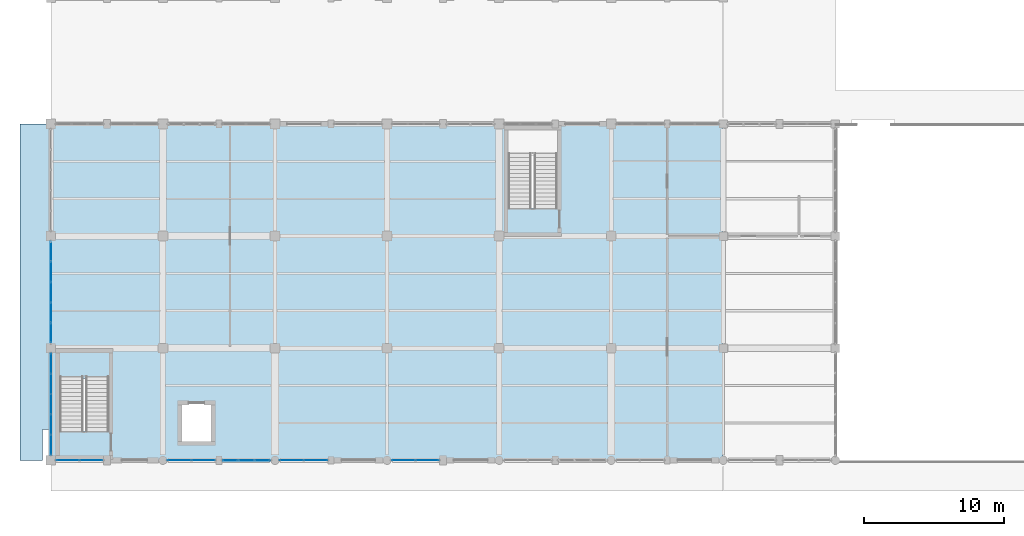
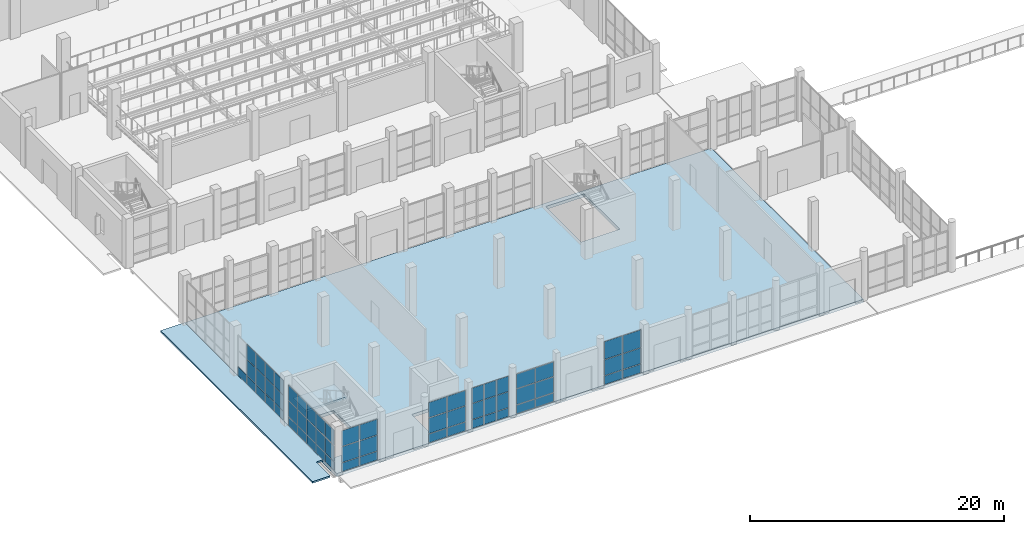
# One storey, part 102 of 156: 61 plates, 3 slabs, 8 elements without a shape of their own.
"""IFC4 building model written with IfcOpenShell, lengths in metres."""

from ifc_helpers import new_model, si_unit, direction, frame, origin, origin_2d, place, context, subcontext, project, spatial, polyline, rectangle, outline, extrude, material, layer, layer_set, type_object, element, aggregate, save


model = new_model("IFC4")

# Units and contexts
model_context = context("Model", 3, precision=1e-05, world=origin(), true_north=direction((0.0, 1.0)))
body_context = subcontext(model_context, "Body", "Model", "MODEL_VIEW")
ifc_project = project(units=[si_unit("LENGTHUNIT", "METRE"), si_unit("AREAUNIT", "SQUARE_METRE"), si_unit("VOLUMEUNIT", "CUBIC_METRE"), si_unit("PLANEANGLEUNIT", "RADIAN"), si_unit("MASSUNIT", "GRAM", prefix="KILO")], contexts=[model_context])

# Site, building, storey
site_placement = place(None, origin())
site = spatial("IfcSite", under=ifc_project, at=site_placement, CompositionType="ELEMENT")
building_placement = place(site_placement, origin())
building = spatial("IfcBuilding", under=site, at=building_placement, Name="Luwemba Playhouse", CompositionType="ELEMENT")
storey_placement = place(building_placement, origin())
storey = spatial("IfcBuildingStorey", under=building, at=storey_placement, Name="L00", CompositionType="ELEMENT", Elevation=0.0)

# Curtain wall, plates
ifc_material_1 = material(Name="Solar-control double glazing", Category="glass")
curtain_wall_type_1 = type_object("IfcCurtainWallType", Name="CW-CW11", PredefinedType="USERDEFINED", material=ifc_material_1)
curtain_wall_1_placement = place(storey_placement, origin())
curtain_wall_1 = element("IfcCurtainWall", 1, at=curtain_wall_1_placement, inside=storey, type_object=curtain_wall_type_1, Name="L00 V5W unitised curtain wall 051", ObjectType="UNITISED GLAZING", PredefinedType="USERDEFINED")
ifc_layer_1 = layer(ifc_material_1, 0.02392578125)
ifc_layer_set_1 = layer_set([ifc_layer_1], Name="Solar-control double glazing")
plate_type_1 = type_object("IfcPlateType", Name="CWP-P1", PredefinedType="CURTAIN_PANEL", material=ifc_layer_set_1)
plate_1_placement = place(storey_placement, frame((14.891357421875, 3.0, 0.06005859375), z_axis=(0.0, 0.0, 1.0), x_axis=(-1.0, 0.0, 0.0)))
plate_1 = element("IfcPlate", 2, at=plate_1_placement, type_object=plate_type_1, Name="CW11 panel 1.1", PredefinedType="CURTAIN_PANEL", context=body_context, shape_type="SweptSolid", body=[
    extrude(rectangle(XDim=1.6474609375, YDim=0.02392578125, at=origin_2d()), origin(), (0.0, 0.0, 1.0), 0.81005859375),
])
plate_2_placement = place(storey_placement, frame((14.891357421875, 3.0, 0.93017578125), z_axis=(0.0, 0.0, 1.0), x_axis=(-1.0, 0.0, 0.0)))
plate_2 = element("IfcPlate", 3, at=plate_2_placement, type_object=plate_type_1, Name="CW11 panel 1.2", PredefinedType="CURTAIN_PANEL", context=body_context, shape_type="SweptSolid", body=[
    extrude(rectangle(XDim=1.6474609375, YDim=0.02392578125, at=origin_2d()), origin(), (0.0, 0.0, 1.0), 1.489990234375),
])
plate_3_placement = place(storey_placement, frame((14.891357421875, 3.0, 2.47998046875), z_axis=(0.0, 0.0, 1.0), x_axis=(-1.0, 0.0, 0.0)))
plate_3 = element("IfcPlate", 4, at=plate_3_placement, type_object=plate_type_1, Name="CW11 panel 1.3", PredefinedType="CURTAIN_PANEL", context=body_context, shape_type="SweptSolid", body=[
    extrude(rectangle(XDim=1.6474609375, YDim=0.02392578125, at=origin_2d()), origin(), (0.0, 0.0, 1.0), 1.445068359375),
])
plate_4_placement = place(storey_placement, frame((13.183837890625, 3.0, 0.06005859375), z_axis=(0.0, 0.0, 1.0), x_axis=(-1.0, 0.0, 0.0)))
plate_4 = element("IfcPlate", 5, at=plate_4_placement, type_object=plate_type_1, Name="CW11 panel 2.1", PredefinedType="CURTAIN_PANEL", context=body_context, shape_type="SweptSolid", body=[
    extrude(rectangle(XDim=1.6474609375, YDim=0.02392578125, at=origin_2d()), origin(), (0.0, 0.0, 1.0), 0.81005859375),
])
plate_5_placement = place(storey_placement, frame((13.183837890625, 3.0, 0.93017578125), z_axis=(0.0, 0.0, 1.0), x_axis=(-1.0, 0.0, 0.0)))
plate_5 = element("IfcPlate", 6, at=plate_5_placement, type_object=plate_type_1, Name="CW11 panel 2.2", PredefinedType="CURTAIN_PANEL", context=body_context, shape_type="SweptSolid", body=[
    extrude(rectangle(XDim=1.6474609375, YDim=0.02392578125, at=origin_2d()), origin(), (0.0, 0.0, 1.0), 1.489990234375),
])
plate_6_placement = place(storey_placement, frame((13.183837890625, 3.0, 2.47998046875), z_axis=(0.0, 0.0, 1.0), x_axis=(-1.0, 0.0, 0.0)))
plate_6 = element("IfcPlate", 7, at=plate_6_placement, type_object=plate_type_1, Name="CW11 panel 2.3", PredefinedType="CURTAIN_PANEL", context=body_context, shape_type="SweptSolid", body=[
    extrude(rectangle(XDim=1.6474609375, YDim=0.02392578125, at=origin_2d()), origin(), (0.0, 0.0, 1.0), 1.445068359375),
])
aggregate(curtain_wall_1, [plate_1, plate_2, plate_3, plate_4, plate_5, plate_6])

curtain_wall_type_2 = type_object("IfcCurtainWallType", Name="CW-CW29", PredefinedType="USERDEFINED", material=ifc_material_1)
curtain_wall_2_placement = place(storey_placement, origin())
curtain_wall_2 = element("IfcCurtainWall", 8, at=curtain_wall_2_placement, inside=storey, type_object=curtain_wall_type_2, Name="L00 V5W unitised curtain wall 048", ObjectType="UNITISED GLAZING", PredefinedType="USERDEFINED")
ifc_layer_2 = layer(ifc_material_1, 0.028076171875)
ifc_layer_set_2 = layer_set([ifc_layer_2], Name="Solar-control double glazing")
plate_type_2 = type_object("IfcPlateType", Name="CWP-P2", PredefinedType="CURTAIN_PANEL", material=ifc_layer_set_2)
plate_7_placement = place(storey_placement, frame((30.871337890625, 3.0, 0.05517578125), z_axis=(0.0, 0.0, 1.0), x_axis=(-1.0, 0.0, 0.0)))
plate_7 = element("IfcPlate", 9, at=plate_7_placement, type_object=plate_type_2, Name="CW29 panel 1.1", PredefinedType="CURTAIN_PANEL", context=body_context, shape_type="SweptSolid", body=[
    extrude(rectangle(XDim=1.62744140625, YDim=0.028076171875, at=origin_2d()), origin(), (0.0, 0.0, 1.0), 0.8173828125),
])
plate_8_placement = place(storey_placement, frame((30.871337890625, 3.0, 0.927490234375), z_axis=(0.0, 0.0, 1.0), x_axis=(-1.0, 0.0, 0.0)))
plate_8 = element("IfcPlate", 10, at=plate_8_placement, type_object=plate_type_2, Name="CW29 panel 1.2", PredefinedType="CURTAIN_PANEL", context=body_context, shape_type="SweptSolid", body=[
    extrude(rectangle(XDim=1.62744140625, YDim=0.028076171875, at=origin_2d()), origin(), (0.0, 0.0, 1.0), 1.4951171875),
])
plate_9_placement = place(storey_placement, frame((30.871337890625, 3.0, 2.4775390625), z_axis=(0.0, 0.0, 1.0), x_axis=(-1.0, 0.0, 0.0)))
plate_9 = element("IfcPlate", 11, at=plate_9_placement, type_object=plate_type_2, Name="CW29 panel 1.3", PredefinedType="CURTAIN_PANEL", context=body_context, shape_type="SweptSolid", body=[
    extrude(rectangle(XDim=1.62744140625, YDim=0.028076171875, at=origin_2d()), origin(), (0.0, 0.0, 1.0), 1.702392578125),
])
plate_10_placement = place(storey_placement, frame((29.1787109375, 3.0, 0.05517578125), z_axis=(0.0, 0.0, 1.0), x_axis=(-1.0, 0.0, 0.0)))
plate_10 = element("IfcPlate", 12, at=plate_10_placement, type_object=plate_type_2, Name="CW29 panel 2.1", PredefinedType="CURTAIN_PANEL", context=body_context, shape_type="SweptSolid", body=[
    extrude(rectangle(XDim=1.62744140625, YDim=0.028076171875, at=origin_2d()), origin(), (0.0, 0.0, 1.0), 0.8173828125),
])
plate_11_placement = place(storey_placement, frame((29.1787109375, 3.0, 0.927490234375), z_axis=(0.0, 0.0, 1.0), x_axis=(-1.0, 0.0, 0.0)))
plate_11 = element("IfcPlate", 13, at=plate_11_placement, type_object=plate_type_2, Name="CW29 panel 2.2", PredefinedType="CURTAIN_PANEL", context=body_context, shape_type="SweptSolid", body=[
    extrude(rectangle(XDim=1.62744140625, YDim=0.028076171875, at=origin_2d()), origin(), (0.0, 0.0, 1.0), 1.4951171875),
])
plate_12_placement = place(storey_placement, frame((29.1787109375, 3.0, 2.4775390625), z_axis=(0.0, 0.0, 1.0), x_axis=(-1.0, 0.0, 0.0)))
plate_12 = element("IfcPlate", 14, at=plate_12_placement, type_object=plate_type_2, Name="CW29 panel 2.3", PredefinedType="CURTAIN_PANEL", context=body_context, shape_type="SweptSolid", body=[
    extrude(rectangle(XDim=1.62744140625, YDim=0.028076171875, at=origin_2d()), origin(), (0.0, 0.0, 1.0), 1.702392578125),
])
aggregate(curtain_wall_2, [plate_7, plate_8, plate_9, plate_10, plate_11, plate_12])

curtain_wall_type_3 = type_object("IfcCurtainWallType", Name="CW-CW43", PredefinedType="USERDEFINED", material=ifc_material_1)
curtain_wall_3_placement = place(storey_placement, origin())
curtain_wall_3 = element("IfcCurtainWall", 15, at=curtain_wall_3_placement, inside=storey, type_object=curtain_wall_type_3, Name="L00 V5W unitised curtain wall 052", ObjectType="UNITISED GLAZING", PredefinedType="USERDEFINED")
plate_13_placement = place(storey_placement, frame((6.8837890625, 3.0, 0.05517578125), z_axis=(0.0, 0.0, 1.0), x_axis=(-1.0, 0.0, 0.0)))
plate_13 = element("IfcPlate", 16, at=plate_13_placement, type_object=plate_type_2, Name="CW43 panel 1.1", PredefinedType="CURTAIN_PANEL", context=body_context, shape_type="SweptSolid", body=[
    extrude(rectangle(XDim=1.6025390625, YDim=0.028076171875, at=origin_2d()), origin(), (0.0, 0.0, 1.0), 0.8173828125),
])
plate_14_placement = place(storey_placement, frame((6.8837890625, 3.0, 0.927490234375), z_axis=(0.0, 0.0, 1.0), x_axis=(-1.0, 0.0, 0.0)))
plate_14 = element("IfcPlate", 17, at=plate_14_placement, type_object=plate_type_2, Name="CW43 panel 1.2", PredefinedType="CURTAIN_PANEL", context=body_context, shape_type="SweptSolid", body=[
    extrude(rectangle(XDim=1.6025390625, YDim=0.028076171875, at=origin_2d()), origin(), (0.0, 0.0, 1.0), 1.4951171875),
])
plate_15_placement = place(storey_placement, frame((6.8837890625, 3.0, 2.4775390625), z_axis=(0.0, 0.0, 1.0), x_axis=(-1.0, 0.0, 0.0)))
plate_15 = element("IfcPlate", 18, at=plate_15_placement, type_object=plate_type_2, Name="CW43 panel 1.3", PredefinedType="CURTAIN_PANEL", context=body_context, shape_type="SweptSolid", body=[
    extrude(rectangle(XDim=1.6025390625, YDim=0.028076171875, at=origin_2d()), origin(), (0.0, 0.0, 1.0), 1.50244140625),
])
plate_16_placement = place(storey_placement, frame((5.21630859375, 3.0, 0.05517578125), z_axis=(0.0, 0.0, 1.0), x_axis=(-1.0, 0.0, 0.0)))
plate_16 = element("IfcPlate", 19, at=plate_16_placement, type_object=plate_type_2, Name="CW43 panel 2.1", PredefinedType="CURTAIN_PANEL", context=body_context, shape_type="SweptSolid", body=[
    extrude(rectangle(XDim=1.6025390625, YDim=0.028076171875, at=origin_2d()), origin(), (0.0, 0.0, 1.0), 0.8173828125),
])
plate_17_placement = place(storey_placement, frame((5.21630859375, 3.0, 0.927490234375), z_axis=(0.0, 0.0, 1.0), x_axis=(-1.0, 0.0, 0.0)))
plate_17 = element("IfcPlate", 20, at=plate_17_placement, type_object=plate_type_2, Name="CW43 panel 2.2", PredefinedType="CURTAIN_PANEL", context=body_context, shape_type="SweptSolid", body=[
    extrude(rectangle(XDim=1.6025390625, YDim=0.028076171875, at=origin_2d()), origin(), (0.0, 0.0, 1.0), 1.4951171875),
])
plate_18_placement = place(storey_placement, frame((5.21630859375, 3.0, 2.4775390625), z_axis=(0.0, 0.0, 1.0), x_axis=(-1.0, 0.0, 0.0)))
plate_18 = element("IfcPlate", 21, at=plate_18_placement, type_object=plate_type_2, Name="CW43 panel 2.3", PredefinedType="CURTAIN_PANEL", context=body_context, shape_type="SweptSolid", body=[
    extrude(rectangle(XDim=1.6025390625, YDim=0.028076171875, at=origin_2d()), origin(), (0.0, 0.0, 1.0), 1.50244140625),
])
aggregate(curtain_wall_3, [plate_13, plate_14, plate_15, plate_16, plate_17, plate_18])

curtain_wall_type_4 = type_object("IfcCurtainWallType", Name="CW-CW23", PredefinedType="USERDEFINED", material=ifc_material_1)
curtain_wall_4_placement = place(storey_placement, origin())
curtain_wall_4 = element("IfcCurtainWall", 22, at=curtain_wall_4_placement, inside=storey, type_object=curtain_wall_type_4, Name="L00 V5W unitised curtain wall 025", ObjectType="UNITISED GLAZING", PredefinedType="USERDEFINED")
ifc_layer_3 = layer(ifc_material_1, 0.031982421875)
ifc_layer_set_3 = layer_set([ifc_layer_3], Name="Solar-control double glazing")
plate_type_3 = type_object("IfcPlateType", Name="CWP-P3", PredefinedType="CURTAIN_PANEL", material=ifc_layer_set_3)
plate_19_placement = place(storey_placement, frame((4.0, 4.09375, 0.06494140625), z_axis=(0.0, 0.0, 1.0), x_axis=(0.0, 1.0, 0.0)))
plate_19 = element("IfcPlate", 23, at=plate_19_placement, type_object=plate_type_3, Name="CW23 panel 1.1", PredefinedType="CURTAIN_PANEL", context=body_context, shape_type="SweptSolid", body=[
    extrude(rectangle(XDim=1.37744140625, YDim=0.031982421875, at=origin_2d()), origin(), (0.0, 0.0, 1.0), 0.802490234375),
])
plate_20_placement = place(storey_placement, frame((4.0, 4.09375, 0.9326171875), z_axis=(0.0, 0.0, 1.0), x_axis=(0.0, 1.0, 0.0)))
plate_20 = element("IfcPlate", 24, at=plate_20_placement, type_object=plate_type_3, Name="CW23 panel 1.2", PredefinedType="CURTAIN_PANEL", context=body_context, shape_type="SweptSolid", body=[
    extrude(rectangle(XDim=1.37744140625, YDim=0.031982421875, at=origin_2d()), origin(), (0.0, 0.0, 1.0), 1.485107421875),
])
plate_21_placement = place(storey_placement, frame((4.0, 4.09375, 2.482421875), z_axis=(0.0, 0.0, 1.0), x_axis=(0.0, 1.0, 0.0)))
plate_21 = element("IfcPlate", 25, at=plate_21_placement, type_object=plate_type_3, Name="CW23 panel 1.3", PredefinedType="CURTAIN_PANEL", context=body_context, shape_type="SweptSolid", body=[
    extrude(rectangle(XDim=1.37744140625, YDim=0.031982421875, at=origin_2d()), origin(), (0.0, 0.0, 1.0), 1.4375),
])
plate_22_placement = place(storey_placement, frame((4.0, 5.5400390625, 0.06494140625), z_axis=(0.0, 0.0, 1.0), x_axis=(0.0, 1.0, 0.0)))
plate_22 = element("IfcPlate", 26, at=plate_22_placement, type_object=plate_type_3, Name="CW23 panel 2.1", PredefinedType="CURTAIN_PANEL", context=body_context, shape_type="SweptSolid", body=[
    extrude(rectangle(XDim=1.405029296875, YDim=0.031982421875, at=origin_2d()), origin(), (0.0, 0.0, 1.0), 0.802490234375),
])
plate_23_placement = place(storey_placement, frame((4.0, 5.5400390625, 0.9326171875), z_axis=(0.0, 0.0, 1.0), x_axis=(0.0, 1.0, 0.0)))
plate_23 = element("IfcPlate", 27, at=plate_23_placement, type_object=plate_type_3, Name="CW23 panel 2.2", PredefinedType="CURTAIN_PANEL", context=body_context, shape_type="SweptSolid", body=[
    extrude(rectangle(XDim=1.405029296875, YDim=0.031982421875, at=origin_2d()), origin(), (0.0, 0.0, 1.0), 1.485107421875),
])
plate_24_placement = place(storey_placement, frame((4.0, 5.5400390625, 2.482421875), z_axis=(0.0, 0.0, 1.0), x_axis=(0.0, 1.0, 0.0)))
plate_24 = element("IfcPlate", 28, at=plate_24_placement, type_object=plate_type_3, Name="CW23 panel 2.3", PredefinedType="CURTAIN_PANEL", context=body_context, shape_type="SweptSolid", body=[
    extrude(rectangle(XDim=1.405029296875, YDim=0.031982421875, at=origin_2d()), origin(), (0.0, 0.0, 1.0), 1.4375),
])
plate_25_placement = place(storey_placement, frame((4.0, 7.0, 0.06494140625), z_axis=(0.0, 0.0, 1.0), x_axis=(0.0, 1.0, 0.0)))
plate_25 = element("IfcPlate", 29, at=plate_25_placement, type_object=plate_type_3, Name="CW23 panel 3.1", PredefinedType="CURTAIN_PANEL", context=body_context, shape_type="SweptSolid", body=[
    extrude(rectangle(XDim=1.405029296875, YDim=0.031982421875, at=origin_2d()), origin(), (0.0, 0.0, 1.0), 0.802490234375),
])
plate_26_placement = place(storey_placement, frame((4.0, 7.0, 0.9326171875), z_axis=(0.0, 0.0, 1.0), x_axis=(0.0, 1.0, 0.0)))
plate_26 = element("IfcPlate", 30, at=plate_26_placement, type_object=plate_type_3, Name="CW23 panel 3.2", PredefinedType="CURTAIN_PANEL", context=body_context, shape_type="SweptSolid", body=[
    extrude(rectangle(XDim=1.405029296875, YDim=0.031982421875, at=origin_2d()), origin(), (0.0, 0.0, 1.0), 1.485107421875),
])
plate_27_placement = place(storey_placement, frame((4.0, 7.0, 2.482421875), z_axis=(0.0, 0.0, 1.0), x_axis=(0.0, 1.0, 0.0)))
plate_27 = element("IfcPlate", 31, at=plate_27_placement, type_object=plate_type_3, Name="CW23 panel 3.3", PredefinedType="CURTAIN_PANEL", context=body_context, shape_type="SweptSolid", body=[
    extrude(rectangle(XDim=1.405029296875, YDim=0.031982421875, at=origin_2d()), origin(), (0.0, 0.0, 1.0), 1.4375),
])
plate_28_placement = place(storey_placement, frame((4.0, 8.4599609375, 0.06494140625), z_axis=(0.0, 0.0, 1.0), x_axis=(0.0, 1.0, 0.0)))
plate_28 = element("IfcPlate", 32, at=plate_28_placement, type_object=plate_type_3, Name="CW23 panel 4.1", PredefinedType="CURTAIN_PANEL", context=body_context, shape_type="SweptSolid", body=[
    extrude(rectangle(XDim=1.405029296875, YDim=0.031982421875, at=origin_2d()), origin(), (0.0, 0.0, 1.0), 0.802490234375),
])
plate_29_placement = place(storey_placement, frame((4.0, 8.4599609375, 0.9326171875), z_axis=(0.0, 0.0, 1.0), x_axis=(0.0, 1.0, 0.0)))
plate_29 = element("IfcPlate", 33, at=plate_29_placement, type_object=plate_type_3, Name="CW23 panel 4.2", PredefinedType="CURTAIN_PANEL", context=body_context, shape_type="SweptSolid", body=[
    extrude(rectangle(XDim=1.405029296875, YDim=0.031982421875, at=origin_2d()), origin(), (0.0, 0.0, 1.0), 1.485107421875),
])
plate_30_placement = place(storey_placement, frame((4.0, 8.4599609375, 2.482421875), z_axis=(0.0, 0.0, 1.0), x_axis=(0.0, 1.0, 0.0)))
plate_30 = element("IfcPlate", 34, at=plate_30_placement, type_object=plate_type_3, Name="CW23 panel 4.3", PredefinedType="CURTAIN_PANEL", context=body_context, shape_type="SweptSolid", body=[
    extrude(rectangle(XDim=1.405029296875, YDim=0.031982421875, at=origin_2d()), origin(), (0.0, 0.0, 1.0), 1.4375),
])
plate_31_placement = place(storey_placement, frame((4.0, 9.90625, 0.06494140625), z_axis=(0.0, 0.0, 1.0), x_axis=(0.0, 1.0, 0.0)))
plate_31 = element("IfcPlate", 35, at=plate_31_placement, type_object=plate_type_3, Name="CW23 panel 5.1", PredefinedType="CURTAIN_PANEL", context=body_context, shape_type="SweptSolid", body=[
    extrude(rectangle(XDim=1.37744140625, YDim=0.031982421875, at=origin_2d()), origin(), (0.0, 0.0, 1.0), 0.802490234375),
])
plate_32_placement = place(storey_placement, frame((4.0, 9.90625, 0.9326171875), z_axis=(0.0, 0.0, 1.0), x_axis=(0.0, 1.0, 0.0)))
plate_32 = element("IfcPlate", 36, at=plate_32_placement, type_object=plate_type_3, Name="CW23 panel 5.2", PredefinedType="CURTAIN_PANEL", context=body_context, shape_type="SweptSolid", body=[
    extrude(rectangle(XDim=1.37744140625, YDim=0.031982421875, at=origin_2d()), origin(), (0.0, 0.0, 1.0), 1.485107421875),
])
plate_33_placement = place(storey_placement, frame((4.0, 9.90625, 2.482421875), z_axis=(0.0, 0.0, 1.0), x_axis=(0.0, 1.0, 0.0)))
plate_33 = element("IfcPlate", 37, at=plate_33_placement, type_object=plate_type_3, Name="CW23 panel 5.3", PredefinedType="CURTAIN_PANEL", context=body_context, shape_type="SweptSolid", body=[
    extrude(rectangle(XDim=1.37744140625, YDim=0.031982421875, at=origin_2d()), origin(), (0.0, 0.0, 1.0), 1.4375),
])
aggregate(curtain_wall_4, [plate_19, plate_20, plate_21, plate_22, plate_23, plate_24, plate_25, plate_26, plate_27, plate_28, plate_29, plate_30, plate_31, plate_32, plate_33])

curtain_wall_type_5 = type_object("IfcCurtainWallType", Name="CW-CW34", PredefinedType="USERDEFINED", material=ifc_material_1)
curtain_wall_5_placement = place(storey_placement, origin())
curtain_wall_5 = element("IfcCurtainWall", 38, at=curtain_wall_5_placement, inside=storey, type_object=curtain_wall_type_5, Name="L00 V5W unitised curtain wall 049", ObjectType="UNITISED GLAZING", PredefinedType="USERDEFINED")
plate_34_placement = place(storey_placement, frame((22.9111328125, 3.0, 0.06494140625), z_axis=(0.0, 0.0, 1.0), x_axis=(-1.0, 0.0, 0.0)))
plate_34 = element("IfcPlate", 39, at=plate_34_placement, type_object=plate_type_3, Name="CW34 panel 1.1", PredefinedType="CURTAIN_PANEL", context=body_context, shape_type="SweptSolid", body=[
    extrude(rectangle(XDim=1.66748046875, YDim=0.031982421875, at=origin_2d()), origin(), (0.0, 0.0, 1.0), 0.802490234375),
])
plate_35_placement = place(storey_placement, frame((22.9111328125, 3.0, 0.9326171875), z_axis=(0.0, 0.0, 1.0), x_axis=(-1.0, 0.0, 0.0)))
plate_35 = element("IfcPlate", 40, at=plate_35_placement, type_object=plate_type_3, Name="CW34 panel 1.2", PredefinedType="CURTAIN_PANEL", context=body_context, shape_type="SweptSolid", body=[
    extrude(rectangle(XDim=1.66748046875, YDim=0.031982421875, at=origin_2d()), origin(), (0.0, 0.0, 1.0), 1.485107421875),
])
plate_36_placement = place(storey_placement, frame((22.9111328125, 3.0, 2.482421875), z_axis=(0.0, 0.0, 1.0), x_axis=(-1.0, 0.0, 0.0)))
plate_36 = element("IfcPlate", 41, at=plate_36_placement, type_object=plate_type_3, Name="CW34 panel 1.3", PredefinedType="CURTAIN_PANEL", context=body_context, shape_type="SweptSolid", body=[
    extrude(rectangle(XDim=1.66748046875, YDim=0.031982421875, at=origin_2d()), origin(), (0.0, 0.0, 1.0), 1.387451171875),
])
plate_37_placement = place(storey_placement, frame((21.188720703125, 3.0, 0.06494140625), z_axis=(0.0, 0.0, 1.0), x_axis=(-1.0, 0.0, 0.0)))
plate_37 = element("IfcPlate", 42, at=plate_37_placement, type_object=plate_type_3, Name="CW34 panel 2.1", PredefinedType="CURTAIN_PANEL", context=body_context, shape_type="SweptSolid", body=[
    extrude(rectangle(XDim=1.66748046875, YDim=0.031982421875, at=origin_2d()), origin(), (0.0, 0.0, 1.0), 0.802490234375),
])
plate_38_placement = place(storey_placement, frame((21.188720703125, 3.0, 0.9326171875), z_axis=(0.0, 0.0, 1.0), x_axis=(-1.0, 0.0, 0.0)))
plate_38 = element("IfcPlate", 43, at=plate_38_placement, type_object=plate_type_3, Name="CW34 panel 2.2", PredefinedType="CURTAIN_PANEL", context=body_context, shape_type="SweptSolid", body=[
    extrude(rectangle(XDim=1.66748046875, YDim=0.031982421875, at=origin_2d()), origin(), (0.0, 0.0, 1.0), 1.485107421875),
])
plate_39_placement = place(storey_placement, frame((21.188720703125, 3.0, 2.482421875), z_axis=(0.0, 0.0, 1.0), x_axis=(-1.0, 0.0, 0.0)))
plate_39 = element("IfcPlate", 44, at=plate_39_placement, type_object=plate_type_3, Name="CW34 panel 2.3", PredefinedType="CURTAIN_PANEL", context=body_context, shape_type="SweptSolid", body=[
    extrude(rectangle(XDim=1.66748046875, YDim=0.031982421875, at=origin_2d()), origin(), (0.0, 0.0, 1.0), 1.387451171875),
])
aggregate(curtain_wall_5, [plate_34, plate_35, plate_36, plate_37, plate_38, plate_39])

curtain_wall_type_6 = type_object("IfcCurtainWallType", Name="CW-CW24", PredefinedType="USERDEFINED", material=ifc_material_1)
curtain_wall_6_placement = place(storey_placement, origin())
curtain_wall_6 = element("IfcCurtainWall", 45, at=curtain_wall_6_placement, inside=storey, type_object=curtain_wall_type_6, Name="L00 V5W unitised curtain wall 026", ObjectType="UNITISED GLAZING", PredefinedType="USERDEFINED")
ifc_layer_4 = layer(ifc_material_1, 0.035888671875)
ifc_layer_set_4 = layer_set([ifc_layer_4], Name="Solar-control double glazing")
plate_type_4 = type_object("IfcPlateType", Name="CWP-P4", PredefinedType="CURTAIN_PANEL", material=ifc_layer_set_4)
plate_40_placement = place(storey_placement, frame((4.0, 12.097412109375, 0.0498046875), z_axis=(0.0, 0.0, 1.0), x_axis=(0.0, 1.0, 0.0)))
plate_40 = element("IfcPlate", 46, at=plate_40_placement, type_object=plate_type_4, Name="CW24 panel 1.1", PredefinedType="CURTAIN_PANEL", context=body_context, shape_type="SweptSolid", body=[
    extrude(rectangle(XDim=1.35498046875, YDim=0.035888671875, at=origin_2d()), origin(), (0.0, 0.0, 1.0), 0.824951171875),
])
plate_41_placement = place(storey_placement, frame((4.0, 12.097412109375, 0.925048828125), z_axis=(0.0, 0.0, 1.0), x_axis=(0.0, 1.0, 0.0)))
plate_41 = element("IfcPlate", 47, at=plate_41_placement, type_object=plate_type_4, Name="CW24 panel 1.2", PredefinedType="CURTAIN_PANEL", context=body_context, shape_type="SweptSolid", body=[
    extrude(rectangle(XDim=1.35498046875, YDim=0.035888671875, at=origin_2d()), origin(), (0.0, 0.0, 1.0), 1.5),
])
plate_42_placement = place(storey_placement, frame((4.0, 12.097412109375, 2.47509765625), z_axis=(0.0, 0.0, 1.0), x_axis=(0.0, 1.0, 0.0)))
plate_42 = element("IfcPlate", 48, at=plate_42_placement, type_object=plate_type_4, Name="CW24 panel 1.3", PredefinedType="CURTAIN_PANEL", context=body_context, shape_type="SweptSolid", body=[
    extrude(rectangle(XDim=1.35498046875, YDim=0.035888671875, at=origin_2d()), origin(), (0.0, 0.0, 1.0), 1.409912109375),
])
plate_43_placement = place(storey_placement, frame((4.0, 13.5400390625, 0.0498046875), z_axis=(0.0, 0.0, 1.0), x_axis=(0.0, 1.0, 0.0)))
plate_43 = element("IfcPlate", 49, at=plate_43_placement, type_object=plate_type_4, Name="CW24 panel 2.1", PredefinedType="CURTAIN_PANEL", context=body_context, shape_type="SweptSolid", body=[
    extrude(rectangle(XDim=1.389892578125, YDim=0.035888671875, at=origin_2d()), origin(), (0.0, 0.0, 1.0), 0.824951171875),
])
plate_44_placement = place(storey_placement, frame((4.0, 13.5400390625, 0.925048828125), z_axis=(0.0, 0.0, 1.0), x_axis=(0.0, 1.0, 0.0)))
plate_44 = element("IfcPlate", 50, at=plate_44_placement, type_object=plate_type_4, Name="CW24 panel 2.2", PredefinedType="CURTAIN_PANEL", context=body_context, shape_type="SweptSolid", body=[
    extrude(rectangle(XDim=1.389892578125, YDim=0.035888671875, at=origin_2d()), origin(), (0.0, 0.0, 1.0), 1.5),
])
plate_45_placement = place(storey_placement, frame((4.0, 13.5400390625, 2.47509765625), z_axis=(0.0, 0.0, 1.0), x_axis=(0.0, 1.0, 0.0)))
plate_45 = element("IfcPlate", 51, at=plate_45_placement, type_object=plate_type_4, Name="CW24 panel 2.3", PredefinedType="CURTAIN_PANEL", context=body_context, shape_type="SweptSolid", body=[
    extrude(rectangle(XDim=1.389892578125, YDim=0.035888671875, at=origin_2d()), origin(), (0.0, 0.0, 1.0), 1.409912109375),
])
plate_46_placement = place(storey_placement, frame((4.0, 15.0, 0.0498046875), z_axis=(0.0, 0.0, 1.0), x_axis=(0.0, 1.0, 0.0)))
plate_46 = element("IfcPlate", 52, at=plate_46_placement, type_object=plate_type_4, Name="CW24 panel 3.1", PredefinedType="CURTAIN_PANEL", context=body_context, shape_type="SweptSolid", body=[
    extrude(rectangle(XDim=1.389892578125, YDim=0.035888671875, at=origin_2d()), origin(), (0.0, 0.0, 1.0), 0.824951171875),
])
plate_47_placement = place(storey_placement, frame((4.0, 15.0, 0.925048828125), z_axis=(0.0, 0.0, 1.0), x_axis=(0.0, 1.0, 0.0)))
plate_47 = element("IfcPlate", 53, at=plate_47_placement, type_object=plate_type_4, Name="CW24 panel 3.2", PredefinedType="CURTAIN_PANEL", context=body_context, shape_type="SweptSolid", body=[
    extrude(rectangle(XDim=1.389892578125, YDim=0.035888671875, at=origin_2d()), origin(), (0.0, 0.0, 1.0), 1.5),
])
plate_48_placement = place(storey_placement, frame((4.0, 15.0, 2.47509765625), z_axis=(0.0, 0.0, 1.0), x_axis=(0.0, 1.0, 0.0)))
plate_48 = element("IfcPlate", 54, at=plate_48_placement, type_object=plate_type_4, Name="CW24 panel 3.3", PredefinedType="CURTAIN_PANEL", context=body_context, shape_type="SweptSolid", body=[
    extrude(rectangle(XDim=1.389892578125, YDim=0.035888671875, at=origin_2d()), origin(), (0.0, 0.0, 1.0), 1.409912109375),
])
plate_49_placement = place(storey_placement, frame((4.0, 16.4599609375, 0.0498046875), z_axis=(0.0, 0.0, 1.0), x_axis=(0.0, 1.0, 0.0)))
plate_49 = element("IfcPlate", 55, at=plate_49_placement, type_object=plate_type_4, Name="CW24 panel 4.1", PredefinedType="CURTAIN_PANEL", context=body_context, shape_type="SweptSolid", body=[
    extrude(rectangle(XDim=1.389892578125, YDim=0.035888671875, at=origin_2d()), origin(), (0.0, 0.0, 1.0), 0.824951171875),
])
plate_50_placement = place(storey_placement, frame((4.0, 16.4599609375, 0.925048828125), z_axis=(0.0, 0.0, 1.0), x_axis=(0.0, 1.0, 0.0)))
plate_50 = element("IfcPlate", 56, at=plate_50_placement, type_object=plate_type_4, Name="CW24 panel 4.2", PredefinedType="CURTAIN_PANEL", context=body_context, shape_type="SweptSolid", body=[
    extrude(rectangle(XDim=1.389892578125, YDim=0.035888671875, at=origin_2d()), origin(), (0.0, 0.0, 1.0), 1.5),
])
plate_51_placement = place(storey_placement, frame((4.0, 16.4599609375, 2.47509765625), z_axis=(0.0, 0.0, 1.0), x_axis=(0.0, 1.0, 0.0)))
plate_51 = element("IfcPlate", 57, at=plate_51_placement, type_object=plate_type_4, Name="CW24 panel 4.3", PredefinedType="CURTAIN_PANEL", context=body_context, shape_type="SweptSolid", body=[
    extrude(rectangle(XDim=1.389892578125, YDim=0.035888671875, at=origin_2d()), origin(), (0.0, 0.0, 1.0), 1.409912109375),
])
plate_52_placement = place(storey_placement, frame((4.0, 17.902587890625, 0.0498046875), z_axis=(0.0, 0.0, 1.0), x_axis=(0.0, 1.0, 0.0)))
plate_52 = element("IfcPlate", 58, at=plate_52_placement, type_object=plate_type_4, Name="CW24 panel 5.1", PredefinedType="CURTAIN_PANEL", context=body_context, shape_type="SweptSolid", body=[
    extrude(rectangle(XDim=1.35498046875, YDim=0.035888671875, at=origin_2d()), origin(), (0.0, 0.0, 1.0), 0.824951171875),
])
aggregate(curtain_wall_6, [plate_40, plate_41, plate_42, plate_43, plate_44, plate_45, plate_46, plate_47, plate_48, plate_49, plate_50, plate_51, plate_52])

curtain_wall_type_7 = type_object("IfcCurtainWallType", Name="CW-CW42", PredefinedType="USERDEFINED", material=ifc_material_1)
curtain_wall_7_placement = place(storey_placement, origin())
curtain_wall_7 = element("IfcCurtainWall", 59, at=curtain_wall_7_placement, inside=storey, type_object=curtain_wall_type_7, Name="L00 V5W unitised curtain wall 050", ObjectType="UNITISED GLAZING", PredefinedType="USERDEFINED")
plate_53_placement = place(storey_placement, frame((19.103271484375, 3.0, 0.0498046875), z_axis=(0.0, 0.0, 1.0), x_axis=(-1.0, 0.0, 0.0)))
plate_53 = element("IfcPlate", 60, at=plate_53_placement, type_object=plate_type_4, Name="CW42 panel 1.1", PredefinedType="CURTAIN_PANEL", context=body_context, shape_type="SweptSolid", body=[
    extrude(rectangle(XDim=1.05322265625, YDim=0.035888671875, at=origin_2d()), origin(), (0.0, 0.0, 1.0), 0.824951171875),
])
plate_54_placement = place(storey_placement, frame((19.103271484375, 3.0, 0.925048828125), z_axis=(0.0, 0.0, 1.0), x_axis=(-1.0, 0.0, 0.0)))
plate_54 = element("IfcPlate", 61, at=plate_54_placement, type_object=plate_type_4, Name="CW42 panel 1.2", PredefinedType="CURTAIN_PANEL", context=body_context, shape_type="SweptSolid", body=[
    extrude(rectangle(XDim=1.05322265625, YDim=0.035888671875, at=origin_2d()), origin(), (0.0, 0.0, 1.0), 1.5),
])
plate_55_placement = place(storey_placement, frame((19.103271484375, 3.0, 2.47509765625), z_axis=(0.0, 0.0, 1.0), x_axis=(-1.0, 0.0, 0.0)))
plate_55 = element("IfcPlate", 62, at=plate_55_placement, type_object=plate_type_4, Name="CW42 panel 1.3", PredefinedType="CURTAIN_PANEL", context=body_context, shape_type="SweptSolid", body=[
    extrude(rectangle(XDim=1.05322265625, YDim=0.035888671875, at=origin_2d()), origin(), (0.0, 0.0, 1.0), 1.4599609375),
])
plate_56_placement = place(storey_placement, frame((17.96240234375, 3.0, 0.0498046875), z_axis=(0.0, 0.0, 1.0), x_axis=(-1.0, 0.0, 0.0)))
plate_56 = element("IfcPlate", 63, at=plate_56_placement, type_object=plate_type_4, Name="CW42 panel 2.1", PredefinedType="CURTAIN_PANEL", context=body_context, shape_type="SweptSolid", body=[
    extrude(rectangle(XDim=1.08837890625, YDim=0.035888671875, at=origin_2d()), origin(), (0.0, 0.0, 1.0), 0.824951171875),
])
plate_57_placement = place(storey_placement, frame((17.96240234375, 3.0, 0.925048828125), z_axis=(0.0, 0.0, 1.0), x_axis=(-1.0, 0.0, 0.0)))
plate_57 = element("IfcPlate", 64, at=plate_57_placement, type_object=plate_type_4, Name="CW42 panel 2.2", PredefinedType="CURTAIN_PANEL", context=body_context, shape_type="SweptSolid", body=[
    extrude(rectangle(XDim=1.08837890625, YDim=0.035888671875, at=origin_2d()), origin(), (0.0, 0.0, 1.0), 1.5),
])
plate_58_placement = place(storey_placement, frame((17.96240234375, 3.0, 2.47509765625), z_axis=(0.0, 0.0, 1.0), x_axis=(-1.0, 0.0, 0.0)))
plate_58 = element("IfcPlate", 65, at=plate_58_placement, type_object=plate_type_4, Name="CW42 panel 2.3", PredefinedType="CURTAIN_PANEL", context=body_context, shape_type="SweptSolid", body=[
    extrude(rectangle(XDim=1.08837890625, YDim=0.035888671875, at=origin_2d()), origin(), (0.0, 0.0, 1.0), 1.4599609375),
])
plate_59_placement = place(storey_placement, frame((16.82177734375, 3.0, 0.0498046875), z_axis=(0.0, 0.0, 1.0), x_axis=(-1.0, 0.0, 0.0)))
plate_59 = element("IfcPlate", 66, at=plate_59_placement, type_object=plate_type_4, Name="CW42 panel 3.1", PredefinedType="CURTAIN_PANEL", context=body_context, shape_type="SweptSolid", body=[
    extrude(rectangle(XDim=1.05322265625, YDim=0.035888671875, at=origin_2d()), origin(), (0.0, 0.0, 1.0), 0.824951171875),
])
plate_60_placement = place(storey_placement, frame((16.82177734375, 3.0, 0.925048828125), z_axis=(0.0, 0.0, 1.0), x_axis=(-1.0, 0.0, 0.0)))
plate_60 = element("IfcPlate", 67, at=plate_60_placement, type_object=plate_type_4, Name="CW42 panel 3.2", PredefinedType="CURTAIN_PANEL", context=body_context, shape_type="SweptSolid", body=[
    extrude(rectangle(XDim=1.05322265625, YDim=0.035888671875, at=origin_2d()), origin(), (0.0, 0.0, 1.0), 1.5),
])
plate_61_placement = place(storey_placement, frame((16.82177734375, 3.0, 2.47509765625), z_axis=(0.0, 0.0, 1.0), x_axis=(-1.0, 0.0, 0.0)))
plate_61 = element("IfcPlate", 68, at=plate_61_placement, type_object=plate_type_4, Name="CW42 panel 3.3", PredefinedType="CURTAIN_PANEL", context=body_context, shape_type="SweptSolid", body=[
    extrude(rectangle(XDim=1.05322265625, YDim=0.035888671875, at=origin_2d()), origin(), (0.0, 0.0, 1.0), 1.4599609375),
])
aggregate(curtain_wall_7, [plate_53, plate_54, plate_55, plate_56, plate_57, plate_58, plate_59, plate_60, plate_61])

# Slab
ifc_material_2 = material(Name="Concrete C40/50", Category="concrete")
ifc_layer_5 = layer(ifc_material_2, 0.300048828125)
ifc_layer_set_5 = layer_set([ifc_layer_5], Name="Concrete C40/50")
slab_type_1 = type_object("IfcSlabType", Name="SLB-HVY-300", PredefinedType="FLOOR", material=ifc_layer_set_5)
slab_1_placement = place(storey_placement, frame((0.0, 0.0, -0.300048828125)))
element("IfcSlab", 69, at=slab_1_placement, inside=storey, type_object=slab_type_1, Name="L00 V5W structural floor slab", PredefinedType="FLOOR", context=body_context, shape_type="SweptSolid", body=[
    extrude(outline(polyline([(51.969970703125, 27.0), (51.969970703125, 3.0), (4.0, 3.0), (4.0, 27.0), (51.969970703125, 27.0)]), holes=[polyline([(15.60009765625, 4.199951171875), (15.60009765625, 7.10009765625), (13.199951171875, 7.10009765625), (13.199951171875, 4.199951171875), (15.60009765625, 4.199951171875)]), polyline([(8.14990234375, 5.0400390625), (8.14990234375, 10.659912109375), (4.64990234375, 10.659912109375), (4.64990234375, 5.0400390625), (8.14990234375, 5.0400390625)]), polyline([(40.14990234375, 20.9599609375), (40.14990234375, 26.580078125), (36.64990234375, 26.580078125), (36.64990234375, 20.9599609375), (40.14990234375, 20.9599609375)])]), origin(), (0.0, 0.0, 1.0), 0.300048828125),
])

# Stair, slab
stair_type = type_object("IfcStairType", Name="STR-DL-03", PredefinedType="HALF_TURN_STAIR", material=ifc_material_2)
stair_placement = place(storey_placement, origin())
stair = element("IfcStair", 70, at=stair_placement, inside=storey, type_object=stair_type, Name="L00 Grand Foyer South-West Escape Stair", PredefinedType="HALF_TURN_STAIR")
ifc_layer_6 = layer(ifc_material_2, 0.215087890625)
ifc_layer_set_6 = layer_set([ifc_layer_6], Name="Concrete C40/50")
slab_type_2 = type_object("IfcSlabType", Name="SLB-LND-215", PredefinedType="LANDING", material=ifc_layer_set_6)
slab_2_placement = place(storey_placement, frame((0.0, 0.0, 2.199951171875)))
slab_2 = element("IfcSlab", 71, at=slab_2_placement, type_object=slab_type_2, Name="ST-04 landing 1", PredefinedType="LANDING", context=body_context, shape_type="SweptSolid", body=[
    extrude(outline(polyline([(8.2900390625, 8.820068359375), (4.510009765625, 8.820068359375), (4.510009765625, 10.800048828125), (8.2900390625, 10.800048828125), (8.2900390625, 8.820068359375)])), origin(), (0.0, 0.0, 1.0), 0.199951171875),
])
aggregate(stair, [slab_2])

# Slab
ifc_material_3 = material(Name="Concrete C32/40", Category="concrete")
ifc_layer_7 = layer(ifc_material_3, 0.159912109375)
ifc_layer_set_7 = layer_set([ifc_layer_7], Name="Concrete C32/40")
slab_type_3 = type_object("IfcSlabType", Name="SLB-PAV-160", PredefinedType="USERDEFINED", material=ifc_layer_set_7)
slab_3_placement = place(storey_placement, frame((0.0, 0.0, -0.159912109375)))
element("IfcSlab", 72, at=slab_3_placement, inside=storey, type_object=slab_type_3, Name="L00 external civic plaza paving PAV-WEST-V5W", ObjectType="PAVING", PredefinedType="USERDEFINED", context=body_context, shape_type="SweptSolid", body=[
    extrude(outline(polyline([(1.800048828125, 3.0), (3.39990234375, 3.0), (3.39990234375, 5.199951171875), (4.0, 5.199951171875), (4.0, 27.0), (1.800048828125, 27.0), (1.800048828125, 3.0)])), origin(), (0.0, 0.0, 1.0), 0.159912109375),
])

save(model, "model.ifc")
